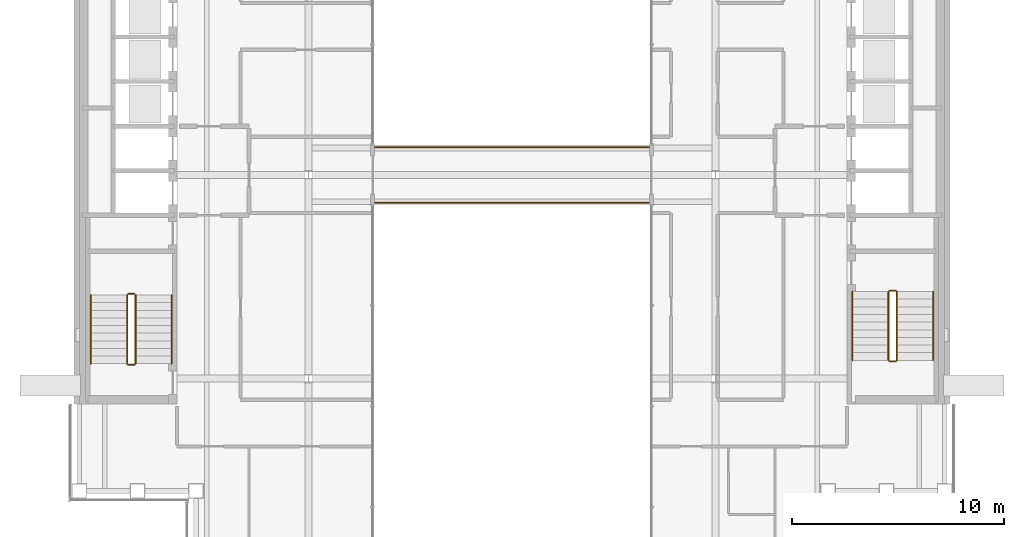
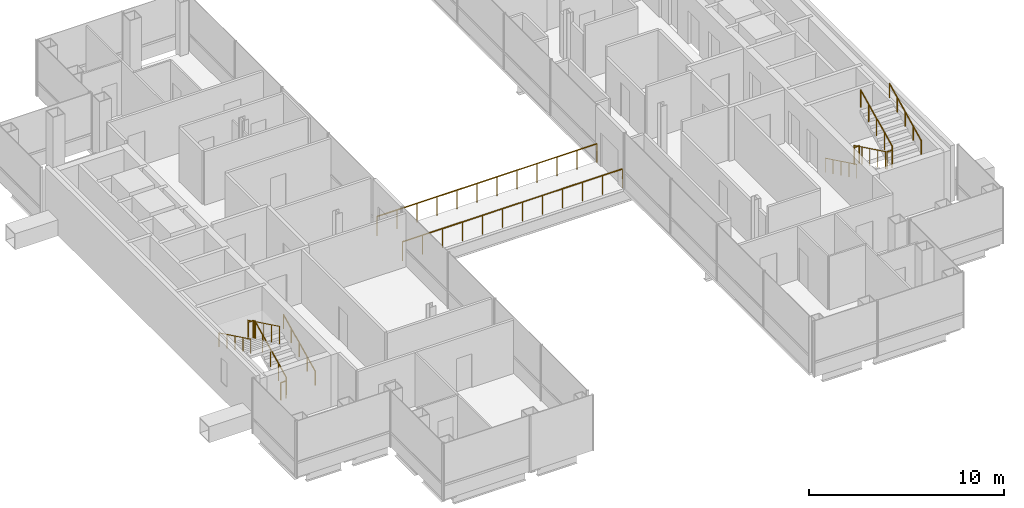
# One storey, part 15 of 16: 14 railings.
"""IFC4 building model written with IfcOpenShell, lengths in metres."""

from ifc_helpers import new_model, si_unit, direction, frame, origin, origin_2d, place, context, subcontext, project, spatial, circle, extrude, material, type_object, element, save


model = new_model("IFC4")

# Units and contexts
model_context = context("Model", 3, precision=1e-05, world=origin(), true_north=direction((0.0, 1.0)))
body_context = subcontext(model_context, "Body", "Model", "MODEL_VIEW")
ifc_project = project(units=[si_unit("LENGTHUNIT", "METRE"), si_unit("AREAUNIT", "SQUARE_METRE"), si_unit("VOLUMEUNIT", "CUBIC_METRE"), si_unit("PLANEANGLEUNIT", "RADIAN"), si_unit("MASSUNIT", "GRAM", prefix="KILO")], contexts=[model_context])

# Site, building, storey
site_placement = place(None, origin())
site = spatial("IfcSite", under=ifc_project, at=site_placement, CompositionType="ELEMENT")
building_placement = place(site_placement, origin())
building = spatial("IfcBuilding", under=site, at=building_placement, Name="Cobrizo Arcos Hotel Tower", CompositionType="ELEMENT")
storey_placement = place(building_placement, frame((0.0, 0.0, 229.5)))
storey = spatial("IfcBuildingStorey", under=building, at=storey_placement, Name="L60", CompositionType="ELEMENT", Elevation=229.5)

# Railings
ifc_material = material(Name="Stainless steel railing", Category="steel")
railing_type_1 = type_object("IfcRailingType", Name="Sky bridge guard 1200", PredefinedType="GUARDRAIL", material=ifc_material)
for number, where, name in (
    (1, (-6.5, 1.300048828125, 0.0), "Sky bridge north guard"),
    (2, (-6.5, -1.300048828125, 0.0), "Sky bridge south guard"),
):
    element("IfcRailing", number, at=place(storey_placement, frame(where)), inside=storey, type_object=railing_type_1, Name=name, PredefinedType="GUARDRAIL", context=body_context, shape_type="SweptSolid", body=[
        extrude(circle(Radius=0.02392578125, at=origin_2d()), frame((0.0, 0.0, 1.17578125), z_axis=(1.0, 0.0, 0.0), x_axis=(0.0, 1.0, 0.0)), (0.0, 0.0, 1.0), 13.0),
        extrude(circle(Radius=0.02099609375, at=origin_2d()), origin(), (0.0, 0.0, 1.0), 1.15185546875),
        extrude(circle(Radius=0.02099609375, at=origin_2d()), frame((1.181884765625, 0.0, 0.0)), (0.0, 0.0, 1.0), 1.15185546875),
        extrude(circle(Radius=0.02099609375, at=origin_2d()), frame((2.363525390625, 0.0, 0.0)), (0.0, 0.0, 1.0), 1.15185546875),
        extrude(circle(Radius=0.02099609375, at=origin_2d()), frame((3.54541015625, 0.0, 0.0)), (0.0, 0.0, 1.0), 1.15185546875),
        extrude(circle(Radius=0.02099609375, at=origin_2d()), frame((4.727294921875, 0.0, 0.0)), (0.0, 0.0, 1.0), 1.15185546875),
        extrude(circle(Radius=0.02099609375, at=origin_2d()), frame((5.9091796875, 0.0, 0.0)), (0.0, 0.0, 1.0), 1.15185546875),
        extrude(circle(Radius=0.02099609375, at=origin_2d()), frame((7.0908203125, 0.0, 0.0)), (0.0, 0.0, 1.0), 1.15185546875),
        extrude(circle(Radius=0.02099609375, at=origin_2d()), frame((8.272705078125, 0.0, 0.0)), (0.0, 0.0, 1.0), 1.15185546875),
        extrude(circle(Radius=0.02099609375, at=origin_2d()), frame((9.45458984375, 0.0, 0.0)), (0.0, 0.0, 1.0), 1.15185546875),
        extrude(circle(Radius=0.02099609375, at=origin_2d()), frame((10.636474609375, 0.0, 0.0)), (0.0, 0.0, 1.0), 1.15185546875),
        extrude(circle(Radius=0.02099609375, at=origin_2d()), frame((11.818115234375, 0.0, 0.0)), (0.0, 0.0, 1.0), 1.15185546875),
        extrude(circle(Radius=0.02099609375, at=origin_2d()), frame((13.0, 0.0, 0.0)), (0.0, 0.0, 1.0), 1.15185546875),
    ])
railing_type_2 = type_object("IfcRailingType", Name="Stair guard 1100", PredefinedType="GUARDRAIL", material=ifc_material)
railing_1_placement = place(storey_placement, frame((-17.75, -8.89990234375, 0.175048828125)))
element("IfcRailing", 3, at=railing_1_placement, inside=storey, type_object=railing_type_2, Name="L60 ST-W stair guard 1", PredefinedType="GUARDRAIL", context=body_context, shape_type="SweptSolid", body=[
    extrude(circle(Radius=0.02392578125, at=origin_2d()), frame((0.0, 0.0, 1.076171875), z_axis=(0.0, 0.899372665325, 0.437182809435), x_axis=(-1.0, 0.0, 0.0)), (0.0, 0.0, 1.0), 3.6025390625),
    extrude(circle(Radius=0.02099609375, at=origin_2d()), origin(), (0.0, 0.0, 1.0), 1.052001953125),
    extrude(circle(Radius=0.02099609375, at=origin_2d()), frame((0.0, 0.81005859375, 0.393798828125)), (0.0, 0.0, 1.0), 1.052001953125),
    extrude(circle(Radius=0.02099609375, at=origin_2d()), frame((0.0, 1.6201171875, 0.78759765625)), (0.0, 0.0, 1.0), 1.052001953125),
    extrude(circle(Radius=0.02099609375, at=origin_2d()), frame((0.0, 2.429931640625, 1.18115234375)), (0.0, 0.0, 1.0), 1.052001953125),
    extrude(circle(Radius=0.02099609375, at=origin_2d()), frame((0.0, 3.239990234375, 1.574951171875)), (0.0, 0.0, 1.0), 1.052001953125),
])
railing_2_placement = place(storey_placement, frame((-17.800048828125, -5.610107421875, 1.75)))
element("IfcRailing", 4, at=railing_2_placement, inside=storey, type_object=railing_type_2, Name="L60 ST-W stair guard 2", PredefinedType="GUARDRAIL", context=body_context, shape_type="SweptSolid", body=[
    extrude(circle(Radius=0.02392578125, at=origin_2d()), frame((0.0, 0.0, 1.076171875), z_axis=(-1.0, 0.0, 0.0), x_axis=(0.0, -1.0, 0.0)), (0.0, 0.0, 1.0), 0.300048828125),
    extrude(circle(Radius=0.02099609375, at=origin_2d()), origin(), (0.0, 0.0, 1.0), 1.052001953125),
    extrude(circle(Radius=0.02099609375, at=origin_2d()), frame((-0.300048828125, 0.0, 0.0)), (0.0, 0.0, 1.0), 1.052001953125),
])
railing_3_placement = place(storey_placement, frame((-18.14990234375, -5.659912109375, 1.925048828125)))
element("IfcRailing", 5, at=railing_3_placement, inside=storey, type_object=railing_type_2, Name="L60 ST-W stair guard 3", PredefinedType="GUARDRAIL", context=body_context, shape_type="SweptSolid", body=[
    extrude(circle(Radius=0.02392578125, at=origin_2d()), frame((0.0, 0.0, 1.076171875), z_axis=(0.0, -0.899372665325, 0.437182809435), x_axis=(1.0, 0.0, 0.0)), (0.0, 0.0, 1.0), 3.6025390625),
    extrude(circle(Radius=0.02099609375, at=origin_2d()), origin(), (0.0, 0.0, 1.0), 1.052001953125),
    extrude(circle(Radius=0.02099609375, at=origin_2d()), frame((0.0, -0.81005859375, 0.393798828125)), (0.0, 0.0, 1.0), 1.052001953125),
    extrude(circle(Radius=0.02099609375, at=origin_2d()), frame((0.0, -1.6201171875, 0.78759765625)), (0.0, 0.0, 1.0), 1.052001953125),
    extrude(circle(Radius=0.02099609375, at=origin_2d()), frame((0.0, -2.429931640625, 1.18115234375)), (0.0, 0.0, 1.0), 1.052001953125),
    extrude(circle(Radius=0.02099609375, at=origin_2d()), frame((0.0, -3.239990234375, 1.574951171875)), (0.0, 0.0, 1.0), 1.052001953125),
])
railing_4_placement = place(storey_placement, frame((-17.800048828125, -8.949951171875, 0.0)))
element("IfcRailing", 6, at=railing_4_placement, inside=storey, type_object=railing_type_2, Name="L60 ST-W stair guard 4", PredefinedType="GUARDRAIL", context=body_context, shape_type="SweptSolid", body=[
    extrude(circle(Radius=0.02392578125, at=origin_2d()), frame((0.0, 0.0, 1.076171875), z_axis=(-1.0, 0.0, 0.0), x_axis=(0.0, -1.0, 0.0)), (0.0, 0.0, 1.0), 0.300048828125),
    extrude(circle(Radius=0.02099609375, at=origin_2d()), origin(), (0.0, 0.0, 1.0), 1.052001953125),
    extrude(circle(Radius=0.02099609375, at=origin_2d()), frame((-0.300048828125, 0.0, 0.0)), (0.0, 0.0, 1.0), 1.052001953125),
])
railing_5_placement = place(storey_placement, frame((17.75, -5.5, 0.175048828125)))
element("IfcRailing", 7, at=railing_5_placement, inside=storey, type_object=railing_type_2, Name="L60 ST-E stair guard 1", PredefinedType="GUARDRAIL", context=body_context, shape_type="SweptSolid", body=[
    extrude(circle(Radius=0.02392578125, at=origin_2d()), frame((0.0, 0.0, 1.076171875), z_axis=(0.0, -0.899372665325, 0.437182809435), x_axis=(1.0, 0.0, 0.0)), (0.0, 0.0, 1.0), 3.6025390625),
    extrude(circle(Radius=0.02099609375, at=origin_2d()), origin(), (0.0, 0.0, 1.0), 1.052001953125),
    extrude(circle(Radius=0.02099609375, at=origin_2d()), frame((0.0, -0.81005859375, 0.393798828125)), (0.0, 0.0, 1.0), 1.052001953125),
    extrude(circle(Radius=0.02099609375, at=origin_2d()), frame((0.0, -1.6201171875, 0.78759765625)), (0.0, 0.0, 1.0), 1.052001953125),
    extrude(circle(Radius=0.02099609375, at=origin_2d()), frame((0.0, -2.429931640625, 1.18115234375)), (0.0, 0.0, 1.0), 1.052001953125),
    extrude(circle(Radius=0.02099609375, at=origin_2d()), frame((0.0, -3.239990234375, 1.574951171875)), (0.0, 0.0, 1.0), 1.052001953125),
])
railing_6_placement = place(storey_placement, frame((17.800048828125, -8.7900390625, 1.75)))
element("IfcRailing", 8, at=railing_6_placement, inside=storey, type_object=railing_type_2, Name="L60 ST-E stair guard 2", PredefinedType="GUARDRAIL", context=body_context, shape_type="SweptSolid", body=[
    extrude(circle(Radius=0.02392578125, at=origin_2d()), frame((0.0, 0.0, 1.076171875), z_axis=(1.0, 0.0, 0.0), x_axis=(0.0, 1.0, 0.0)), (0.0, 0.0, 1.0), 0.300048828125),
    extrude(circle(Radius=0.02099609375, at=origin_2d()), origin(), (0.0, 0.0, 1.0), 1.052001953125),
    extrude(circle(Radius=0.02099609375, at=origin_2d()), frame((0.300048828125, 0.0, 0.0)), (0.0, 0.0, 1.0), 1.052001953125),
])
railing_7_placement = place(storey_placement, frame((18.14990234375, -8.739990234375, 1.925048828125)))
element("IfcRailing", 9, at=railing_7_placement, inside=storey, type_object=railing_type_2, Name="L60 ST-E stair guard 3", PredefinedType="GUARDRAIL", context=body_context, shape_type="SweptSolid", body=[
    extrude(circle(Radius=0.02392578125, at=origin_2d()), frame((0.0, 0.0, 1.076171875), z_axis=(0.0, 0.899372665325, 0.437182809435), x_axis=(-1.0, 0.0, 0.0)), (0.0, 0.0, 1.0), 3.6025390625),
    extrude(circle(Radius=0.02099609375, at=origin_2d()), origin(), (0.0, 0.0, 1.0), 1.052001953125),
    extrude(circle(Radius=0.02099609375, at=origin_2d()), frame((0.0, 0.81005859375, 0.393798828125)), (0.0, 0.0, 1.0), 1.052001953125),
    extrude(circle(Radius=0.02099609375, at=origin_2d()), frame((0.0, 1.6201171875, 0.78759765625)), (0.0, 0.0, 1.0), 1.052001953125),
    extrude(circle(Radius=0.02099609375, at=origin_2d()), frame((0.0, 2.429931640625, 1.18115234375)), (0.0, 0.0, 1.0), 1.052001953125),
    extrude(circle(Radius=0.02099609375, at=origin_2d()), frame((0.0, 3.239990234375, 1.574951171875)), (0.0, 0.0, 1.0), 1.052001953125),
])
railing_8_placement = place(storey_placement, frame((17.800048828125, -5.449951171875, 0.0)))
element("IfcRailing", 10, at=railing_8_placement, inside=storey, type_object=railing_type_2, Name="L60 ST-E stair guard 4", PredefinedType="GUARDRAIL", context=body_context, shape_type="SweptSolid", body=[
    extrude(circle(Radius=0.02392578125, at=origin_2d()), frame((0.0, 0.0, 1.076171875), z_axis=(1.0, 0.0, 0.0), x_axis=(0.0, 1.0, 0.0)), (0.0, 0.0, 1.0), 0.300048828125),
    extrude(circle(Radius=0.02099609375, at=origin_2d()), origin(), (0.0, 0.0, 1.0), 1.052001953125),
    extrude(circle(Radius=0.02099609375, at=origin_2d()), frame((0.300048828125, 0.0, 0.0)), (0.0, 0.0, 1.0), 1.052001953125),
])
railing_type_3 = type_object("IfcRailingType", Name="Stair handrail", PredefinedType="HANDRAIL", material=ifc_material)
railing_9_placement = place(storey_placement, frame((-16.050048828125, -8.89990234375, 0.175048828125)))
element("IfcRailing", 11, at=railing_9_placement, inside=storey, type_object=railing_type_3, Name="L60 ST-W stair handrail 1", PredefinedType="HANDRAIL", context=body_context, shape_type="SweptSolid", body=[
    extrude(circle(Radius=0.02392578125, at=origin_2d()), frame((0.0, 0.0, 0.8759765625), z_axis=(0.0, 0.899372665325, 0.437182809435), x_axis=(-1.0, 0.0, 0.0)), (0.0, 0.0, 1.0), 3.6025390625),
    extrude(circle(Radius=0.02099609375, at=origin_2d()), origin(), (0.0, 0.0, 1.0), 0.851806640625),
    extrude(circle(Radius=0.02099609375, at=origin_2d()), frame((0.0, 0.81005859375, 0.393798828125)), (0.0, 0.0, 1.0), 0.851806640625),
    extrude(circle(Radius=0.02099609375, at=origin_2d()), frame((0.0, 1.6201171875, 0.78759765625)), (0.0, 0.0, 1.0), 0.851806640625),
    extrude(circle(Radius=0.02099609375, at=origin_2d()), frame((0.0, 2.429931640625, 1.18115234375)), (0.0, 0.0, 1.0), 0.851806640625),
    extrude(circle(Radius=0.02099609375, at=origin_2d()), frame((0.0, 3.239990234375, 1.574951171875)), (0.0, 0.0, 1.0), 0.851806640625),
])
for number, where, name in (
    (12, (-19.85009765625, -5.659912109375, 1.925048828125), "L60 ST-W stair handrail 2"),
    (13, (16.050048828125, -5.5, 0.175048828125), "L60 ST-E stair handrail 1"),
):
    element("IfcRailing", number, at=place(storey_placement, frame(where)), inside=storey, type_object=railing_type_3, Name=name, PredefinedType="HANDRAIL", context=body_context, shape_type="SweptSolid", body=[
        extrude(circle(Radius=0.02392578125, at=origin_2d()), frame((0.0, 0.0, 0.8759765625), z_axis=(0.0, -0.899372665325, 0.437182809435), x_axis=(1.0, 0.0, 0.0)), (0.0, 0.0, 1.0), 3.6025390625),
        extrude(circle(Radius=0.02099609375, at=origin_2d()), origin(), (0.0, 0.0, 1.0), 0.851806640625),
        extrude(circle(Radius=0.02099609375, at=origin_2d()), frame((0.0, -0.81005859375, 0.393798828125)), (0.0, 0.0, 1.0), 0.851806640625),
        extrude(circle(Radius=0.02099609375, at=origin_2d()), frame((0.0, -1.6201171875, 0.78759765625)), (0.0, 0.0, 1.0), 0.851806640625),
        extrude(circle(Radius=0.02099609375, at=origin_2d()), frame((0.0, -2.429931640625, 1.18115234375)), (0.0, 0.0, 1.0), 0.851806640625),
        extrude(circle(Radius=0.02099609375, at=origin_2d()), frame((0.0, -3.239990234375, 1.574951171875)), (0.0, 0.0, 1.0), 0.851806640625),
    ])
railing_10_placement = place(storey_placement, frame((19.85009765625, -8.739990234375, 1.925048828125)))
element("IfcRailing", 14, at=railing_10_placement, inside=storey, type_object=railing_type_3, Name="L60 ST-E stair handrail 2", PredefinedType="HANDRAIL", context=body_context, shape_type="SweptSolid", body=[
    extrude(circle(Radius=0.02392578125, at=origin_2d()), frame((0.0, 0.0, 0.8759765625), z_axis=(0.0, 0.899372665325, 0.437182809435), x_axis=(-1.0, 0.0, 0.0)), (0.0, 0.0, 1.0), 3.6025390625),
    extrude(circle(Radius=0.02099609375, at=origin_2d()), origin(), (0.0, 0.0, 1.0), 0.851806640625),
    extrude(circle(Radius=0.02099609375, at=origin_2d()), frame((0.0, 0.81005859375, 0.393798828125)), (0.0, 0.0, 1.0), 0.851806640625),
    extrude(circle(Radius=0.02099609375, at=origin_2d()), frame((0.0, 1.6201171875, 0.78759765625)), (0.0, 0.0, 1.0), 0.851806640625),
    extrude(circle(Radius=0.02099609375, at=origin_2d()), frame((0.0, 2.429931640625, 1.18115234375)), (0.0, 0.0, 1.0), 0.851806640625),
    extrude(circle(Radius=0.02099609375, at=origin_2d()), frame((0.0, 3.239990234375, 1.574951171875)), (0.0, 0.0, 1.0), 0.851806640625),
])

save(model, "model.ifc")
